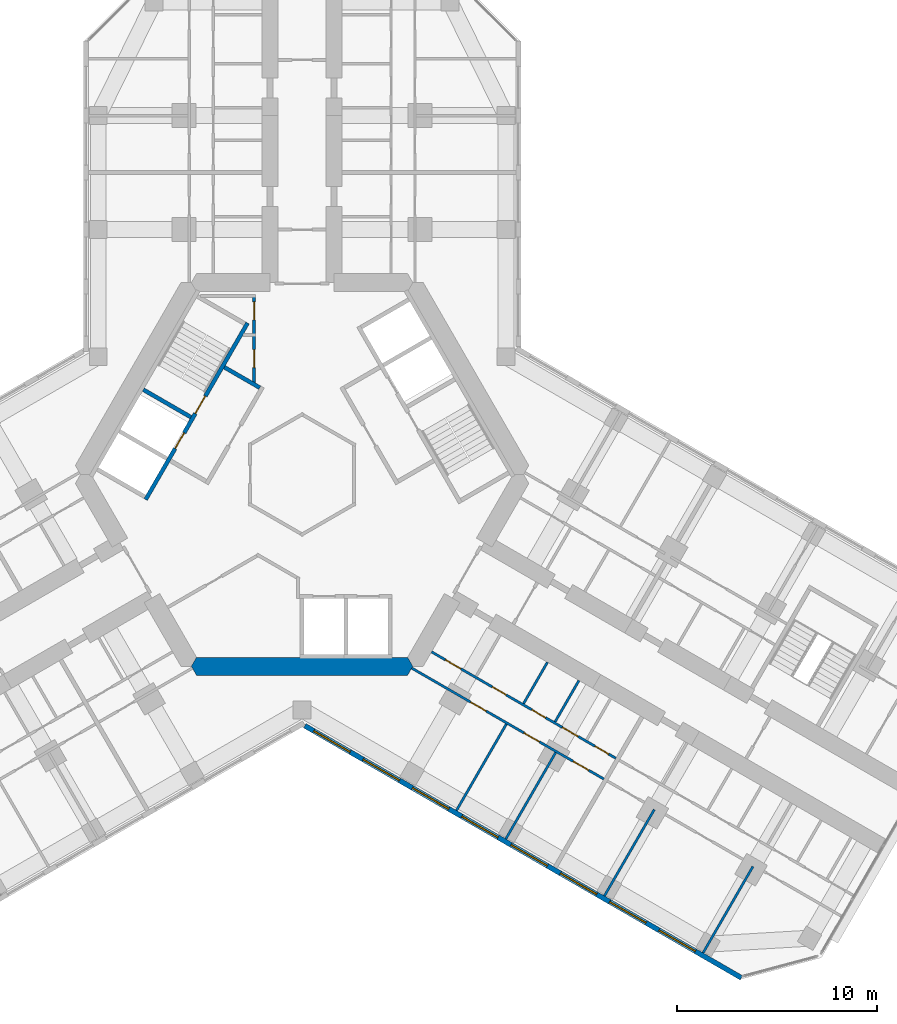
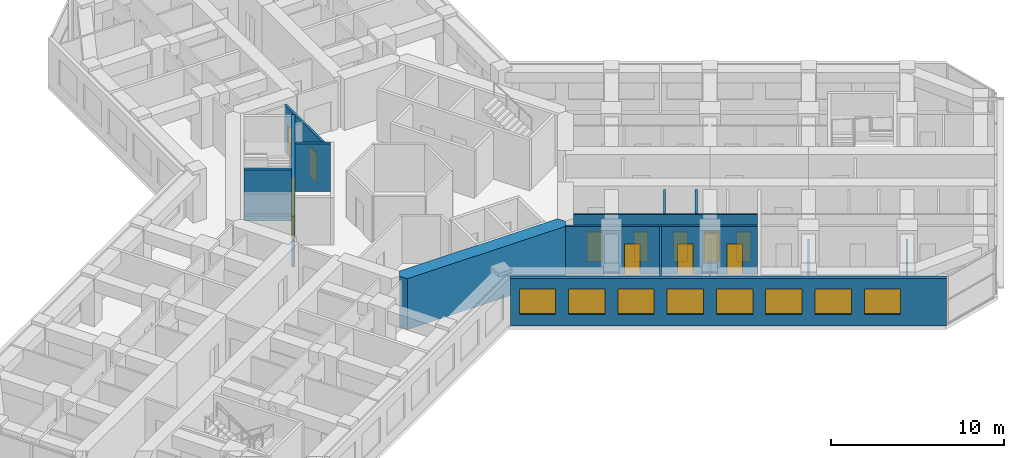
# One storey, part 13 of 19: 14 walls, 12 doors, 8 windows, 20 openings.
"""IFC4 building model written with IfcOpenShell, lengths in metres."""

from ifc_helpers import new_model, si_unit, direction, frame, frame_2d, origin, place, context, subcontext, project, spatial, polyline, rectangle, outline, extrude, material, layer, layer_set, type_object, element, fill, save


model = new_model("IFC4")

# Units and contexts
model_context = context("Model", 3, precision=1e-05, world=origin(), true_north=direction((0.0, 1.0)))
body_context = subcontext(model_context, "Body", "Model", "MODEL_VIEW")
ifc_project = project(units=[si_unit("LENGTHUNIT", "METRE"), si_unit("AREAUNIT", "SQUARE_METRE"), si_unit("VOLUMEUNIT", "CUBIC_METRE"), si_unit("PLANEANGLEUNIT", "RADIAN"), si_unit("MASSUNIT", "GRAM", prefix="KILO")], contexts=[model_context])

# Site, building, storey
site_placement = place(None, origin())
site = spatial("IfcSite", under=ifc_project, at=site_placement, CompositionType="ELEMENT")
building_placement = place(site_placement, origin())
building = spatial("IfcBuilding", under=site, at=building_placement, Name="Kosmar Iwan School Tower", CompositionType="ELEMENT")
storey_placement = place(building_placement, frame((0.0, 0.0, 168.800048828125)))
storey = spatial("IfcBuildingStorey", under=building, at=storey_placement, Name="L42", CompositionType="ELEMENT", Elevation=168.800048828125)

# Wall, openings, doors
ifc_material_1 = material(Name="Gypsum board on steel studs, fire-rated", Category="steel")
ifc_layer_1 = layer(ifc_material_1, 0.14990234375)
ifc_layer_set_1 = layer_set([ifc_layer_1], Name="Core room partition 150")
wall_type_1 = type_object("IfcWallType", Name="Core room partition 150", PredefinedType="PARTITIONING", material=ifc_layer_set_1)
wall_1_placement = place(storey_placement, frame((-2.39990234375, 9.014892578125, 0.0), z_axis=(0.0, 0.0, 1.0), x_axis=(0.0, -1.0, 0.0)))
wall_1 = element("IfcWall", 1, at=wall_1_placement, inside=storey, type_object=wall_type_1, Name="Core room partition L42-CW1", PredefinedType="PARTITIONING", context=body_context, shape_type="SweptSolid", body=[
    extrude(rectangle(XDim=4.484130859375, YDim=0.14990234375, at=frame_2d((2.2421875, 0.0))), origin(), (0.0, 0.0, 1.0), 3.349853515625),
])
opening_1_placement = place(wall_1_placement, frame((0.375, 0.0, 0.0)))
opening_1 = element("IfcOpeningElement", 2, at=opening_1_placement, cuts=wall_1, Name="Opening D14", PredefinedType="OPENING", context=body_context, shape_type="SweptSolid", body=[
    extrude(rectangle(XDim=0.89990234375, YDim=2.10009765625, at=frame_2d((0.449951171875, 1.050048828125))), frame((0.0, 0.0869140625, 0.0), z_axis=(0.0, -1.0, 0.0), x_axis=(1.0, 0.0, 0.0)), (0.0, 0.0, 1.0), 0.173828125),
])
opening_2_placement = place(wall_1_placement, frame((2.77490234375, 0.0, 0.0)))
opening_2 = element("IfcOpeningElement", 3, at=opening_2_placement, cuts=wall_1, Name="Opening D14", PredefinedType="OPENING", context=body_context, shape_type="SweptSolid", body=[
    extrude(rectangle(XDim=0.89990234375, YDim=2.10009765625, at=frame_2d((0.449951171875, 1.050048828125))), frame((0.0, 0.0869140625, 0.0), z_axis=(0.0, -1.0, 0.0), x_axis=(1.0, 0.0, 0.0)), (0.0, 0.0, 1.0), 0.173828125),
])
ifc_material_2 = material(Name="Timber fire door in steel frame", Category="steel")
door_type_1 = type_object("IfcDoorType", Name="Core room door 900x2100", OperationType="SINGLE_SWING_LEFT", PredefinedType="DOOR", material=ifc_material_2)
door_1_placement = place(opening_1_placement, origin())
door_1 = element("IfcDoor", 4, at=door_1_placement, inside=storey, type_object=door_type_1, Name="Electrical riser and switch room door L42 1", OperationType="SINGLE_SWING_LEFT", OverallHeight=2.10009765625, OverallWidth=0.89990234375, PredefinedType="DOOR", context=body_context, shape_type="SweptSolid", body=[
    extrude(rectangle(XDim=0.89990234375, YDim=2.10009765625, at=frame_2d((0.449951171875, 1.050048828125))), frame((0.0, 0.02490234375, 0.0), z_axis=(0.0, -1.0, 0.0), x_axis=(1.0, 0.0, 0.0)), (0.0, 0.0, 1.0), 0.050048828125),
])
fill(opening_1, door_1)
door_2_placement = place(opening_2_placement, origin())
door_2 = element("IfcDoor", 5, at=door_2_placement, inside=storey, type_object=door_type_1, Name="Plumbing and wet riser door L42 2", OperationType="SINGLE_SWING_RIGHT", OverallHeight=2.10009765625, OverallWidth=0.89990234375, PredefinedType="DOOR", context=body_context, shape_type="SweptSolid", body=[
    extrude(rectangle(XDim=0.89990234375, YDim=2.10009765625, at=frame_2d((0.449951171875, 1.050048828125))), frame((0.0, 0.02490234375, 0.0), z_axis=(0.0, -1.0, 0.0), x_axis=(1.0, 0.0, 0.0)), (0.0, 0.0, 1.0), 0.050048828125),
])
fill(opening_2, door_2)

# Wall
ifc_material_3 = material(Name="Concrete C50/60", Category="concrete")
ifc_layer_2 = layer(ifc_material_3, 0.89990234375)
ifc_layer_set_2 = layer_set([ifc_layer_2], Name="Core wall 900")
wall_type_2 = type_object("IfcWallType", Name="Core wall 900", PredefinedType="SHEAR", material=ifc_layer_set_2)
wall_2_placement = place(storey_placement, origin())
element("IfcWall", 6, at=wall_2_placement, inside=storey, type_object=wall_type_2, Name="Core wall F270", PredefinedType="SHEAR", context=body_context, shape_type="SweptSolid", body=[
    extrude(outline(polyline([(-5.28271484375, -10.050048828125), (5.28271484375, -10.050048828125), (5.54248046875, -9.60009765625), (5.28271484375, -9.14990234375), (-5.28271484375, -9.14990234375), (-5.54248046875, -9.60009765625), (-5.28271484375, -10.050048828125)])), origin(), (0.0, 0.0, 1.0), 3.599853515625),
])

# Wall, openings, doors
ifc_material_4 = material(Name="Gypsum board on steel studs", Category="steel")
ifc_layer_3 = layer(ifc_material_4, 0.1201171875)
ifc_layer_set_3 = layer_set([ifc_layer_3], Name="Dwelling partition 120")
wall_type_3 = type_object("IfcWallType", Name="Dwelling partition 120", PredefinedType="PARTITIONING", material=ifc_layer_set_3)
wall_3_placement = place(storey_placement, frame((6.478515625, -8.87890625, 0.0), z_axis=(0.0, 0.0, 1.0), x_axis=(0.866026778288, -0.499997619282, 0.0)))
wall_3 = element("IfcWall", 7, at=wall_3_placement, inside=storey, type_object=wall_type_3, Name="Partition L42-CR1-W1", PredefinedType="PARTITIONING", context=body_context, shape_type="SweptSolid", body=[
    extrude(rectangle(XDim=10.64990234375, YDim=0.1201171875, at=frame_2d((5.324951171875, 0.0))), origin(), (0.0, 0.0, 1.0), 3.349853515625),
])
opening_3_placement = place(wall_3_placement, frame((0.800048828125, 0.0, 0.0)))
opening_3 = element("IfcOpeningElement", 8, at=opening_3_placement, cuts=wall_3, Name="Opening D2", PredefinedType="OPENING", context=body_context, shape_type="SweptSolid", body=[
    extrude(rectangle(XDim=0.89990234375, YDim=2.10009765625, at=frame_2d((0.449951171875, 1.050048828125))), frame((0.0, 0.072021484375, 0.0), z_axis=(0.0, -1.0, 0.0), x_axis=(1.0, 0.0, 0.0)), (0.0, 0.0, 1.0), 0.14404296875),
])
opening_4_placement = place(wall_3_placement, frame((3.5166015625, 0.0, 0.0)))
opening_4 = element("IfcOpeningElement", 9, at=opening_4_placement, cuts=wall_3, Name="Opening D3", PredefinedType="OPENING", context=body_context, shape_type="SweptSolid", body=[
    extrude(rectangle(XDim=0.800048828125, YDim=2.10009765625, at=frame_2d((0.39990234375, 1.050048828125))), frame((0.0, 0.072021484375, 0.0), z_axis=(0.0, -1.0, 0.0), x_axis=(1.0, 0.0, 0.0)), (0.0, 0.0, 1.0), 0.14404296875),
])
opening_5_placement = place(wall_3_placement, frame((5.79443359375, 0.0, 0.0)))
opening_5 = element("IfcOpeningElement", 10, at=opening_5_placement, cuts=wall_3, Name="Opening D3", PredefinedType="OPENING", context=body_context, shape_type="SweptSolid", body=[
    extrude(rectangle(XDim=0.800048828125, YDim=2.10009765625, at=frame_2d((0.39990234375, 1.050048828125))), frame((0.0, 0.072021484375, 0.0), z_axis=(0.0, -1.0, 0.0), x_axis=(1.0, 0.0, 0.0)), (0.0, 0.0, 1.0), 0.14404296875),
])
opening_6_placement = place(wall_3_placement, frame((7.566650390625, 0.0, 0.0)))
opening_6 = element("IfcOpeningElement", 11, at=opening_6_placement, cuts=wall_3, Name="Opening D2", PredefinedType="OPENING", context=body_context, shape_type="SweptSolid", body=[
    extrude(rectangle(XDim=0.89990234375, YDim=2.10009765625, at=frame_2d((0.449951171875, 1.050048828125))), frame((0.0, 0.072021484375, 0.0), z_axis=(0.0, -1.0, 0.0), x_axis=(1.0, 0.0, 0.0)), (0.0, 0.0, 1.0), 0.14404296875),
])
opening_7_placement = place(wall_3_placement, frame((9.43896484375, 0.0, 0.0)))
opening_7 = element("IfcOpeningElement", 12, at=opening_7_placement, cuts=wall_3, Name="Opening D3", PredefinedType="OPENING", context=body_context, shape_type="SweptSolid", body=[
    extrude(rectangle(XDim=0.800048828125, YDim=2.10009765625, at=frame_2d((0.39990234375, 1.050048828125))), frame((0.0, 0.072021484375, 0.0), z_axis=(0.0, -1.0, 0.0), x_axis=(1.0, 0.0, 0.0)), (0.0, 0.0, 1.0), 0.14404296875),
])
ifc_material_5 = material(Name="Timber door in timber frame", Category="wood")
door_type_2 = type_object("IfcDoorType", Name="Internal door 900x2100", OperationType="SINGLE_SWING_LEFT", PredefinedType="DOOR", material=ifc_material_5)
door_3_placement = place(opening_3_placement, origin())
door_3 = element("IfcDoor", 13, at=door_3_placement, inside=storey, type_object=door_type_2, Name="Entrance hall door L42-CR1-S1", OperationType="SINGLE_SWING_LEFT", OverallHeight=2.10009765625, OverallWidth=0.89990234375, PredefinedType="DOOR", context=body_context, shape_type="SweptSolid", body=[
    extrude(rectangle(XDim=0.89990234375, YDim=2.10009765625, at=frame_2d((0.449951171875, 1.050048828125))), frame((0.0, 0.02490234375, 0.0), z_axis=(0.0, -1.0, 0.0), x_axis=(1.0, 0.0, 0.0)), (0.0, 0.0, 1.0), 0.050048828125),
])
fill(opening_3, door_3)
door_4_placement = place(opening_6_placement, origin())
door_4 = element("IfcDoor", 14, at=door_4_placement, inside=storey, type_object=door_type_2, Name="Pantry door L42-CR1-S4", OperationType="SINGLE_SWING_RIGHT", OverallHeight=2.10009765625, OverallWidth=0.89990234375, PredefinedType="DOOR", context=body_context, shape_type="SweptSolid", body=[
    extrude(rectangle(XDim=0.89990234375, YDim=2.10009765625, at=frame_2d((0.449951171875, 1.050048828125))), frame((0.0, 0.02490234375, 0.0), z_axis=(0.0, -1.0, 0.0), x_axis=(1.0, 0.0, 0.0)), (0.0, 0.0, 1.0), 0.050048828125),
])
fill(opening_6, door_4)
ifc_material_6 = material(Name="Timber door in timber frame", Category="wood")
door_type_3 = type_object("IfcDoorType", Name="Sanitary room door 800x2100", OperationType="SINGLE_SWING_LEFT", PredefinedType="DOOR", material=ifc_material_6)
door_5_placement = place(opening_4_placement, origin())
door_5 = element("IfcDoor", 15, at=door_5_placement, inside=storey, type_object=door_type_3, Name="Bathroom door L42-CR1-S2", OperationType="SINGLE_SWING_RIGHT", OverallHeight=2.10009765625, OverallWidth=0.800048828125, PredefinedType="DOOR", context=body_context, shape_type="SweptSolid", body=[
    extrude(rectangle(XDim=0.800048828125, YDim=2.10009765625, at=frame_2d((0.39990234375, 1.050048828125))), frame((0.0, 0.02490234375, 0.0), z_axis=(0.0, -1.0, 0.0), x_axis=(1.0, 0.0, 0.0)), (0.0, 0.0, 1.0), 0.050048828125),
])
fill(opening_4, door_5)
door_6_placement = place(opening_5_placement, origin())
door_6 = element("IfcDoor", 16, at=door_6_placement, inside=storey, type_object=door_type_3, Name="Shower room door L42-CR1-S3", OperationType="SINGLE_SWING_LEFT", OverallHeight=2.10009765625, OverallWidth=0.800048828125, PredefinedType="DOOR", context=body_context, shape_type="SweptSolid", body=[
    extrude(rectangle(XDim=0.800048828125, YDim=2.10009765625, at=frame_2d((0.39990234375, 1.050048828125))), frame((0.0, 0.02490234375, 0.0), z_axis=(0.0, -1.0, 0.0), x_axis=(1.0, 0.0, 0.0)), (0.0, 0.0, 1.0), 0.050048828125),
])
fill(opening_5, door_6)
door_7_placement = place(opening_7_placement, origin())
door_7 = element("IfcDoor", 17, at=door_7_placement, inside=storey, type_object=door_type_3, Name="WC door L42-CR1-S5", OperationType="SINGLE_SWING_RIGHT", OverallHeight=2.10009765625, OverallWidth=0.800048828125, PredefinedType="DOOR", context=body_context, shape_type="SweptSolid", body=[
    extrude(rectangle(XDim=0.800048828125, YDim=2.10009765625, at=frame_2d((0.39990234375, 1.050048828125))), frame((0.0, 0.02490234375, 0.0), z_axis=(0.0, -1.0, 0.0), x_axis=(1.0, 0.0, 0.0)), (0.0, 0.0, 1.0), 0.050048828125),
])
fill(opening_7, door_7)

wall_4_placement = place(storey_placement, frame((5.48876953125, -9.693115234375, 0.0), z_axis=(0.0, 0.0, 1.0), x_axis=(0.866026992824, -0.499997247692, 0.0)))
wall_4 = element("IfcWall", 18, at=wall_4_placement, inside=storey, type_object=wall_type_3, Name="Partition L42-CR1-W2", PredefinedType="PARTITIONING", context=body_context, shape_type="SweptSolid", body=[
    extrude(rectangle(XDim=11.10009765625, YDim=0.1201171875, at=frame_2d((5.550048828125, 0.0))), origin(), (0.0, 0.0, 1.0), 3.349853515625),
])
opening_8_placement = place(wall_4_placement, frame((3.39990234375, 0.0, 0.0)))
opening_8 = element("IfcOpeningElement", 19, at=opening_8_placement, cuts=wall_4, Name="Opening D2", PredefinedType="OPENING", context=body_context, shape_type="SweptSolid", body=[
    extrude(rectangle(XDim=0.89990234375, YDim=2.10009765625, at=frame_2d((0.449951171875, 1.050048828125))), frame((0.0, 0.072021484375, 0.0), z_axis=(0.0, -1.0, 0.0), x_axis=(1.0, 0.0, 0.0)), (0.0, 0.0, 1.0), 0.14404296875),
])
opening_9_placement = place(wall_4_placement, frame((6.47509765625, 0.0, 0.0)))
opening_9 = element("IfcOpeningElement", 20, at=opening_9_placement, cuts=wall_4, Name="Opening D2", PredefinedType="OPENING", context=body_context, shape_type="SweptSolid", body=[
    extrude(rectangle(XDim=0.89990234375, YDim=2.10009765625, at=frame_2d((0.449951171875, 1.050048828125))), frame((0.0, 0.072021484375, 0.0), z_axis=(0.0, -1.0, 0.0), x_axis=(1.0, 0.0, 0.0)), (0.0, 0.0, 1.0), 0.14404296875),
])
opening_10_placement = place(wall_4_placement, frame((9.324951171875, 0.0, 0.0)))
opening_10 = element("IfcOpeningElement", 21, at=opening_10_placement, cuts=wall_4, Name="Opening D2", PredefinedType="OPENING", context=body_context, shape_type="SweptSolid", body=[
    extrude(rectangle(XDim=0.89990234375, YDim=2.10009765625, at=frame_2d((0.449951171875, 1.050048828125))), frame((0.0, 0.072021484375, 0.0), z_axis=(0.0, -1.0, 0.0), x_axis=(1.0, 0.0, 0.0)), (0.0, 0.0, 1.0), 0.14404296875),
])
door_8_placement = place(opening_8_placement, origin())
door_8 = element("IfcDoor", 22, at=door_8_placement, inside=storey, type_object=door_type_2, Name="Living room and kitchen door L42-CR1-F1", OperationType="SINGLE_SWING_LEFT", OverallHeight=2.10009765625, OverallWidth=0.89990234375, PredefinedType="DOOR", context=body_context, shape_type="SweptSolid", body=[
    extrude(rectangle(XDim=0.89990234375, YDim=2.10009765625, at=frame_2d((0.449951171875, 1.050048828125))), frame((0.0, 0.02490234375, 0.0), z_axis=(0.0, -1.0, 0.0), x_axis=(1.0, 0.0, 0.0)), (0.0, 0.0, 1.0), 0.050048828125),
])
fill(opening_8, door_8)
door_9_placement = place(opening_9_placement, origin())
door_9 = element("IfcDoor", 23, at=door_9_placement, inside=storey, type_object=door_type_2, Name="Bedroom 1 door L42-CR1-F2", OperationType="SINGLE_SWING_RIGHT", OverallHeight=2.10009765625, OverallWidth=0.89990234375, PredefinedType="DOOR", context=body_context, shape_type="SweptSolid", body=[
    extrude(rectangle(XDim=0.89990234375, YDim=2.10009765625, at=frame_2d((0.449951171875, 1.050048828125))), frame((0.0, 0.02490234375, 0.0), z_axis=(0.0, -1.0, 0.0), x_axis=(1.0, 0.0, 0.0)), (0.0, 0.0, 1.0), 0.050048828125),
])
fill(opening_9, door_9)
door_10_placement = place(opening_10_placement, origin())
door_10 = element("IfcDoor", 24, at=door_10_placement, inside=storey, type_object=door_type_2, Name="Bedroom 2 door L42-CR1-F3", OperationType="SINGLE_SWING_RIGHT", OverallHeight=2.10009765625, OverallWidth=0.89990234375, PredefinedType="DOOR", context=body_context, shape_type="SweptSolid", body=[
    extrude(rectangle(XDim=0.89990234375, YDim=2.10009765625, at=frame_2d((0.449951171875, 1.050048828125))), frame((0.0, 0.02490234375, 0.0), z_axis=(0.0, -1.0, 0.0), x_axis=(1.0, 0.0, 0.0)), (0.0, 0.0, 1.0), 0.050048828125),
])
fill(opening_10, door_10)

# Walls
wall_5_placement = place(storey_placement, frame((10.221923828125, -12.4951171875, 0.0), z_axis=(0.0, 0.0, 1.0), x_axis=(-0.499996339024, -0.86602751744, 0.0)))
element("IfcWall", 25, at=wall_5_placement, inside=storey, type_object=wall_type_3, Name="Partition L42-CR1-X1", PredefinedType="PARTITIONING", context=body_context, shape_type="SweptSolid", body=[
    extrude(rectangle(XDim=4.98974609375, YDim=0.1201171875, at=frame_2d((2.494873046875, 0.0))), origin(), (0.0, 0.0, 1.0), 3.349853515625),
])
wall_6_placement = place(storey_placement, frame((12.690185546875, -13.919921875, 0.0), z_axis=(0.0, 0.0, 1.0), x_axis=(-0.500011847778, -0.866018563358, 0.0)))
element("IfcWall", 26, at=wall_6_placement, inside=storey, type_object=wall_type_3, Name="Partition L42-CR1-X2", PredefinedType="PARTITIONING", context=body_context, shape_type="SweptSolid", body=[
    extrude(rectangle(XDim=4.990234375, YDim=0.1201171875, at=frame_2d((2.4951171875, 0.0))), origin(), (0.0, 0.0, 1.0), 2.449951171875),
])
for number, where, z_axis, x_axis, name in (
    (27, (12.279052734375, -9.398681640625, 0.0), (0.0, 0.0, 1.0), (-0.500017192868, -0.86601547725, 0.0), "Partition L42-CR1-Y2"),
    (28, (13.857177734375, -10.309814453125, 0.0), (0.0, 0.0, 1.0), (-0.500017192868, -0.86601547725, 0.0), "Partition L42-CR1-Y3"),
):
    element("IfcWall", number, at=place(storey_placement, frame(where, z_axis=z_axis, x_axis=x_axis)), inside=storey, type_object=wall_type_3, Name=name, PredefinedType="PARTITIONING", context=body_context, shape_type="SweptSolid", body=[
        extrude(rectangle(XDim=2.39013671875, YDim=0.1201171875, at=frame_2d((1.195068359375, 0.0))), origin(), (0.0, 0.0, 1.0), 3.349853515625),
    ])
wall_7_placement = place(storey_placement, frame((17.62646484375, -16.77001953125, 0.0), z_axis=(0.0, 0.0, 1.0), x_axis=(-0.499975153383, -0.86603974851, 0.0)))
element("IfcWall", 29, at=wall_7_placement, inside=storey, type_object=wall_type_3, Name="Partition L42-CR2-X1", PredefinedType="PARTITIONING", context=body_context, shape_type="SweptSolid", body=[
    extrude(rectangle(XDim=4.989990234375, YDim=0.1201171875, at=frame_2d((2.4951171875, 0.0))), origin(), (0.0, 0.0, 1.0), 2.449951171875),
])
wall_8_placement = place(storey_placement, frame((22.562744140625, -19.6201171875, 0.0), z_axis=(0.0, 0.0, 1.0), x_axis=(-0.499996339024, -0.86602751744, 0.0)))
element("IfcWall", 30, at=wall_8_placement, inside=storey, type_object=wall_type_3, Name="Partition L42-CR2-X2", PredefinedType="PARTITIONING", context=body_context, shape_type="SweptSolid", body=[
    extrude(rectangle(XDim=4.98974609375, YDim=0.1201171875, at=frame_2d((2.494873046875, 0.0))), origin(), (0.0, 0.0, 1.0), 2.449951171875),
])

# Wall, openings, windows
ifc_material_7 = material(Name="Black aluminium rainscreen on insulated framing", Category="aluminium")
ifc_layer_4 = layer(ifc_material_7, 0.25)
ifc_layer_set_4 = layer_set([ifc_layer_4], Name="External wall rainscreen 250")
wall_type_4 = type_object("IfcWallType", Name="External wall rainscreen 250", PredefinedType="SOLIDWALL", material=ifc_layer_set_4)
wall_9_placement = place(storey_placement, frame((0.137939453125, -12.5791015625, 0.0), z_axis=(0.0, 0.0, 1.0), x_axis=(0.866023775649, -0.500002820003, 0.0)))
wall_9 = element("IfcWall", 31, at=wall_9_placement, inside=storey, type_object=wall_type_4, Name="External wall CR L42", PredefinedType="SOLIDWALL", context=body_context, shape_type="SweptSolid", body=[
    extrude(rectangle(XDim=25.226318359375, YDim=0.25, at=frame_2d((12.61328125, 0.0))), origin(), (0.0, 0.0, 1.0), 3.349853515625),
])
opening_11_placement = place(wall_9_placement, frame((0.51611328125, 0.0, 0.800048828125)))
opening_11 = element("IfcOpeningElement", 32, at=opening_11_placement, cuts=wall_9, Name="Opening W4", PredefinedType="OPENING", context=body_context, shape_type="SweptSolid", body=[
    extrude(rectangle(XDim=2.10009765625, YDim=1.800048828125, at=frame_2d((1.050048828125, 0.89990234375))), frame((0.0, 0.136962890625, 0.0), z_axis=(0.0, -1.0, 0.0), x_axis=(1.0, 0.0, 0.0)), (0.0, 0.0, 1.0), 0.27392578125),
])
opening_12_placement = place(wall_9_placement, frame((3.365966796875, 0.0, 0.800048828125)))
opening_12 = element("IfcOpeningElement", 33, at=opening_12_placement, cuts=wall_9, Name="Opening W4", PredefinedType="OPENING", context=body_context, shape_type="SweptSolid", body=[
    extrude(rectangle(XDim=2.10009765625, YDim=1.800048828125, at=frame_2d((1.050048828125, 0.89990234375))), frame((0.0, 0.136962890625, 0.0), z_axis=(0.0, -1.0, 0.0), x_axis=(1.0, 0.0, 0.0)), (0.0, 0.0, 1.0), 0.27392578125),
])
opening_13_placement = place(wall_9_placement, frame((6.216064453125, 0.0, 0.800048828125)))
opening_13 = element("IfcOpeningElement", 34, at=opening_13_placement, cuts=wall_9, Name="Opening W4", PredefinedType="OPENING", context=body_context, shape_type="SweptSolid", body=[
    extrude(rectangle(XDim=2.10009765625, YDim=1.800048828125, at=frame_2d((1.050048828125, 0.89990234375))), frame((0.0, 0.136962890625, 0.0), z_axis=(0.0, -1.0, 0.0), x_axis=(1.0, 0.0, 0.0)), (0.0, 0.0, 1.0), 0.27392578125),
])
opening_14_placement = place(wall_9_placement, frame((9.06591796875, 0.0, 0.800048828125)))
opening_14 = element("IfcOpeningElement", 35, at=opening_14_placement, cuts=wall_9, Name="Opening W4", PredefinedType="OPENING", context=body_context, shape_type="SweptSolid", body=[
    extrude(rectangle(XDim=2.10009765625, YDim=1.800048828125, at=frame_2d((1.050048828125, 0.89990234375))), frame((0.0, 0.136962890625, 0.0), z_axis=(0.0, -1.0, 0.0), x_axis=(1.0, 0.0, 0.0)), (0.0, 0.0, 1.0), 0.27392578125),
])
opening_15_placement = place(wall_9_placement, frame((11.916015625, 0.0, 0.800048828125)))
opening_15 = element("IfcOpeningElement", 36, at=opening_15_placement, cuts=wall_9, Name="Opening W4", PredefinedType="OPENING", context=body_context, shape_type="SweptSolid", body=[
    extrude(rectangle(XDim=2.10009765625, YDim=1.800048828125, at=frame_2d((1.050048828125, 0.89990234375))), frame((0.0, 0.136962890625, 0.0), z_axis=(0.0, -1.0, 0.0), x_axis=(1.0, 0.0, 0.0)), (0.0, 0.0, 1.0), 0.27392578125),
])
opening_16_placement = place(wall_9_placement, frame((14.76611328125, 0.0, 0.800048828125)))
opening_16 = element("IfcOpeningElement", 37, at=opening_16_placement, cuts=wall_9, Name="Opening W4", PredefinedType="OPENING", context=body_context, shape_type="SweptSolid", body=[
    extrude(rectangle(XDim=2.10009765625, YDim=1.800048828125, at=frame_2d((1.050048828125, 0.89990234375))), frame((0.0, 0.136962890625, 0.0), z_axis=(0.0, -1.0, 0.0), x_axis=(1.0, 0.0, 0.0)), (0.0, 0.0, 1.0), 0.27392578125),
])
opening_17_placement = place(wall_9_placement, frame((17.615966796875, 0.0, 0.800048828125)))
opening_17 = element("IfcOpeningElement", 38, at=opening_17_placement, cuts=wall_9, Name="Opening W4", PredefinedType="OPENING", context=body_context, shape_type="SweptSolid", body=[
    extrude(rectangle(XDim=2.10009765625, YDim=1.800048828125, at=frame_2d((1.050048828125, 0.89990234375))), frame((0.0, 0.136962890625, 0.0), z_axis=(0.0, -1.0, 0.0), x_axis=(1.0, 0.0, 0.0)), (0.0, 0.0, 1.0), 0.27392578125),
])
opening_18_placement = place(wall_9_placement, frame((20.466064453125, 0.0, 0.800048828125)))
opening_18 = element("IfcOpeningElement", 39, at=opening_18_placement, cuts=wall_9, Name="Opening W4", PredefinedType="OPENING", context=body_context, shape_type="SweptSolid", body=[
    extrude(rectangle(XDim=2.10009765625, YDim=1.800048828125, at=frame_2d((1.050048828125, 0.89990234375))), frame((0.0, 0.136962890625, 0.0), z_axis=(0.0, -1.0, 0.0), x_axis=(1.0, 0.0, 0.0)), (0.0, 0.0, 1.0), 0.27392578125),
])
ifc_material_8 = material(Name="Black aluminium frame with dark triple glazing", Category="aluminium")
window_type = type_object("IfcWindowType", Name="Window 2100x1800", PartitioningType="SINGLE_PANEL", PredefinedType="WINDOW", material=ifc_material_8)
window_1_placement = place(opening_11_placement, origin())
window_1 = element("IfcWindow", 40, at=window_1_placement, inside=storey, type_object=window_type, Name="Window CR L42 -1", OverallHeight=1.800048828125, OverallWidth=2.10009765625, PartitioningType="SINGLE_PANEL", PredefinedType="WINDOW", context=body_context, shape_type="SweptSolid", body=[
    extrude(rectangle(XDim=2.10009765625, YDim=1.800048828125, at=frame_2d((1.050048828125, 0.89990234375))), frame((0.0, 0.030029296875, 0.0), z_axis=(0.0, -1.0, 0.0), x_axis=(1.0, 0.0, 0.0)), (0.0, 0.0, 1.0), 0.06005859375),
])
fill(opening_11, window_1)
window_2_placement = place(opening_12_placement, origin())
window_2 = element("IfcWindow", 41, at=window_2_placement, inside=storey, type_object=window_type, Name="Window CR L42 0", OverallHeight=1.800048828125, OverallWidth=2.10009765625, PartitioningType="SINGLE_PANEL", PredefinedType="WINDOW", context=body_context, shape_type="SweptSolid", body=[
    extrude(rectangle(XDim=2.10009765625, YDim=1.800048828125, at=frame_2d((1.050048828125, 0.89990234375))), frame((0.0, 0.030029296875, 0.0), z_axis=(0.0, -1.0, 0.0), x_axis=(1.0, 0.0, 0.0)), (0.0, 0.0, 1.0), 0.06005859375),
])
fill(opening_12, window_2)
window_3_placement = place(opening_13_placement, origin())
window_3 = element("IfcWindow", 42, at=window_3_placement, inside=storey, type_object=window_type, Name="Window CR L42 1", OverallHeight=1.800048828125, OverallWidth=2.10009765625, PartitioningType="SINGLE_PANEL", PredefinedType="WINDOW", context=body_context, shape_type="SweptSolid", body=[
    extrude(rectangle(XDim=2.10009765625, YDim=1.800048828125, at=frame_2d((1.050048828125, 0.89990234375))), frame((0.0, 0.030029296875, 0.0), z_axis=(0.0, -1.0, 0.0), x_axis=(1.0, 0.0, 0.0)), (0.0, 0.0, 1.0), 0.06005859375),
])
fill(opening_13, window_3)
window_4_placement = place(opening_14_placement, origin())
window_4 = element("IfcWindow", 43, at=window_4_placement, inside=storey, type_object=window_type, Name="Window CR L42 2", OverallHeight=1.800048828125, OverallWidth=2.10009765625, PartitioningType="SINGLE_PANEL", PredefinedType="WINDOW", context=body_context, shape_type="SweptSolid", body=[
    extrude(rectangle(XDim=2.10009765625, YDim=1.800048828125, at=frame_2d((1.050048828125, 0.89990234375))), frame((0.0, 0.030029296875, 0.0), z_axis=(0.0, -1.0, 0.0), x_axis=(1.0, 0.0, 0.0)), (0.0, 0.0, 1.0), 0.06005859375),
])
fill(opening_14, window_4)
window_5_placement = place(opening_15_placement, origin())
window_5 = element("IfcWindow", 44, at=window_5_placement, inside=storey, type_object=window_type, Name="Window CR L42 3", OverallHeight=1.800048828125, OverallWidth=2.10009765625, PartitioningType="SINGLE_PANEL", PredefinedType="WINDOW", context=body_context, shape_type="SweptSolid", body=[
    extrude(rectangle(XDim=2.10009765625, YDim=1.800048828125, at=frame_2d((1.050048828125, 0.89990234375))), frame((0.0, 0.030029296875, 0.0), z_axis=(0.0, -1.0, 0.0), x_axis=(1.0, 0.0, 0.0)), (0.0, 0.0, 1.0), 0.06005859375),
])
fill(opening_15, window_5)
window_6_placement = place(opening_16_placement, origin())
window_6 = element("IfcWindow", 45, at=window_6_placement, inside=storey, type_object=window_type, Name="Window CR L42 4", OverallHeight=1.800048828125, OverallWidth=2.10009765625, PartitioningType="SINGLE_PANEL", PredefinedType="WINDOW", context=body_context, shape_type="SweptSolid", body=[
    extrude(rectangle(XDim=2.10009765625, YDim=1.800048828125, at=frame_2d((1.050048828125, 0.89990234375))), frame((0.0, 0.030029296875, 0.0), z_axis=(0.0, -1.0, 0.0), x_axis=(1.0, 0.0, 0.0)), (0.0, 0.0, 1.0), 0.06005859375),
])
fill(opening_16, window_6)
window_7_placement = place(opening_17_placement, origin())
window_7 = element("IfcWindow", 46, at=window_7_placement, inside=storey, type_object=window_type, Name="Window CR L42 5", OverallHeight=1.800048828125, OverallWidth=2.10009765625, PartitioningType="SINGLE_PANEL", PredefinedType="WINDOW", context=body_context, shape_type="SweptSolid", body=[
    extrude(rectangle(XDim=2.10009765625, YDim=1.800048828125, at=frame_2d((1.050048828125, 0.89990234375))), frame((0.0, 0.030029296875, 0.0), z_axis=(0.0, -1.0, 0.0), x_axis=(1.0, 0.0, 0.0)), (0.0, 0.0, 1.0), 0.06005859375),
])
fill(opening_17, window_7)
window_8_placement = place(opening_18_placement, origin())
window_8 = element("IfcWindow", 47, at=window_8_placement, inside=storey, type_object=window_type, Name="Window CR L42 6", OverallHeight=1.800048828125, OverallWidth=2.10009765625, PartitioningType="SINGLE_PANEL", PredefinedType="WINDOW", context=body_context, shape_type="SweptSolid", body=[
    extrude(rectangle(XDim=2.10009765625, YDim=1.800048828125, at=frame_2d((1.050048828125, 0.89990234375))), frame((0.0, 0.030029296875, 0.0), z_axis=(0.0, -1.0, 0.0), x_axis=(1.0, 0.0, 0.0)), (0.0, 0.0, 1.0), 0.06005859375),
])
fill(opening_18, window_8)

# Wall
ifc_material_9 = material(Name="Concrete block masonry", Category="masonry")
ifc_layer_5 = layer(ifc_material_9, 0.199951171875)
ifc_layer_set_5 = layer_set([ifc_layer_5], Name="Fire lobby wall 200")
wall_type_5 = type_object("IfcWallType", Name="Fire lobby wall 200", PredefinedType="PARTITIONING", material=ifc_layer_set_5)
wall_10_placement = place(storey_placement, frame((-2.114013671875, 4.33837890625, 0.0), z_axis=(0.0, 0.0, 1.0), x_axis=(-0.866050731258, 0.499956128963, 0.0)))
element("IfcWall", 48, at=wall_10_placement, inside=storey, type_object=wall_type_5, Name="Firefighting lobby wall ST2", PredefinedType="PARTITIONING", context=body_context, shape_type="SweptSolid", body=[
    extrude(rectangle(XDim=2.050048828125, YDim=0.199951171875, at=frame_2d((1.02490234375, 0.0))), origin(), (0.0, 0.0, 1.0), 3.349853515625),
])

# Wall, openings, doors
ifc_material_10 = material(Name="Concrete C50/60", Category="concrete")
ifc_layer_6 = layer(ifc_material_10, 0.199951171875)
ifc_layer_set_6 = layer_set([ifc_layer_6], Name="Lift shaft wall 200")
wall_type_6 = type_object("IfcWallType", Name="Lift shaft wall 200", PredefinedType="SHEAR", material=ifc_layer_set_6)
wall_11_placement = place(storey_placement, frame((-2.72607421875, 7.578369140625, 0.0), z_axis=(0.0, 0.0, 1.0), x_axis=(-0.500005610874, -0.86602216432, 0.0)))
wall_11 = element("IfcWall", 49, at=wall_11_placement, inside=storey, type_object=wall_type_6, Name="Lift and stair front wall AB", PredefinedType="SHEAR", context=body_context, shape_type="SweptSolid", body=[
    extrude(rectangle(XDim=10.2001953125, YDim=0.199951171875, at=frame_2d((5.10009765625, 0.0))), origin(), (0.0, 0.0, 1.0), 3.599853515625),
])
opening_19_placement = place(wall_11_placement, frame((6.35009765625, 0.0, 0.0)))
opening_19 = element("IfcOpeningElement", 50, at=opening_19_placement, cuts=wall_11, Name="Opening LD2", PredefinedType="OPENING", context=body_context, shape_type="SweptSolid", body=[
    extrude(rectangle(XDim=0.89990234375, YDim=2.10009765625, at=frame_2d((0.449951171875, 1.050048828125))), frame((0.0, 0.112060546875, 0.0), z_axis=(0.0, -1.0, 0.0), x_axis=(1.0, 0.0, 0.0)), (0.0, 0.0, 1.0), 0.223876953125),
])
opening_20_placement = place(wall_11_placement, frame((4.22998046875, 0.0, 0.0)))
opening_20 = element("IfcOpeningElement", 51, at=opening_20_placement, cuts=wall_11, Name="Opening D6", PredefinedType="OPENING", context=body_context, shape_type="SweptSolid", body=[
    extrude(rectangle(XDim=1.0, YDim=2.10009765625, at=frame_2d((0.5, 1.050048828125))), frame((0.0, 0.112060546875, 0.0), z_axis=(0.0, -1.0, 0.0), x_axis=(1.0, 0.0, 0.0)), (0.0, 0.0, 1.0), 0.223876953125),
])
ifc_material_11 = material(Name="Stainless steel sliding lift door", Category="steel")
door_type_4 = type_object("IfcDoorType", Name="Firefighting lift landing door 900x2100", OperationType="SLIDING_TO_LEFT", PredefinedType="DOOR", material=ifc_material_11)
door_11_placement = place(opening_19_placement, origin())
door_11 = element("IfcDoor", 52, at=door_11_placement, inside=storey, type_object=door_type_4, Name="Lift FF2 landing door L42", OperationType="SLIDING_TO_LEFT", OverallHeight=2.10009765625, OverallWidth=0.89990234375, PredefinedType="DOOR", context=body_context, shape_type="SweptSolid", body=[
    extrude(rectangle(XDim=0.89990234375, YDim=2.10009765625, at=frame_2d((0.449951171875, 1.050048828125))), frame((0.0, 0.02490234375, 0.0), z_axis=(0.0, -1.0, 0.0), x_axis=(1.0, 0.0, 0.0)), (0.0, 0.0, 1.0), 0.050048828125),
])
fill(opening_19, door_11)
ifc_material_12 = material(Name="Steel fire door", Category="steel")
door_type_5 = type_object("IfcDoorType", Name="Stair door 1000x2100", OperationType="SINGLE_SWING_LEFT", PredefinedType="DOOR", material=ifc_material_12)
door_12_placement = place(opening_20_placement, origin())
door_12 = element("IfcDoor", 53, at=door_12_placement, inside=storey, type_object=door_type_5, Name="Stair ST2 door L42", OperationType="SINGLE_SWING_LEFT", OverallHeight=2.10009765625, OverallWidth=1.0, PredefinedType="DOOR", context=body_context, shape_type="SweptSolid", body=[
    extrude(rectangle(XDim=1.0, YDim=2.10009765625, at=frame_2d((0.5, 1.050048828125))), frame((0.0, 0.02490234375, 0.0), z_axis=(0.0, -1.0, 0.0), x_axis=(1.0, 0.0, 0.0)), (0.0, 0.0, 1.0), 0.050048828125),
])
fill(opening_20, door_12)

# Wall
ifc_material_13 = material(Name="Concrete C50/60", Category="concrete")
ifc_layer_7 = layer(ifc_material_13, 0.199951171875)
ifc_layer_set_7 = layer_set([ifc_layer_7], Name="Stair enclosure wall 200")
wall_type_7 = type_object("IfcWallType", Name="Stair enclosure wall 200", PredefinedType="SHEAR", material=ifc_layer_set_7)
wall_12_placement = place(storey_placement, frame((-5.562744140625, 2.865234375, 0.0), z_axis=(0.0, 0.0, 1.0), x_axis=(-0.866027397988, 0.499996545922, 0.0)))
element("IfcWall", 54, at=wall_12_placement, inside=storey, type_object=wall_type_7, Name="Stair ST2 wall", PredefinedType="SHEAR", context=body_context, shape_type="SweptSolid", body=[
    extrude(rectangle(XDim=2.75, YDim=0.199951171875, at=frame_2d((1.375, 0.0))), origin(), (0.0, 0.0, 1.0), 3.599853515625),
])

save(model, "model.ifc")
